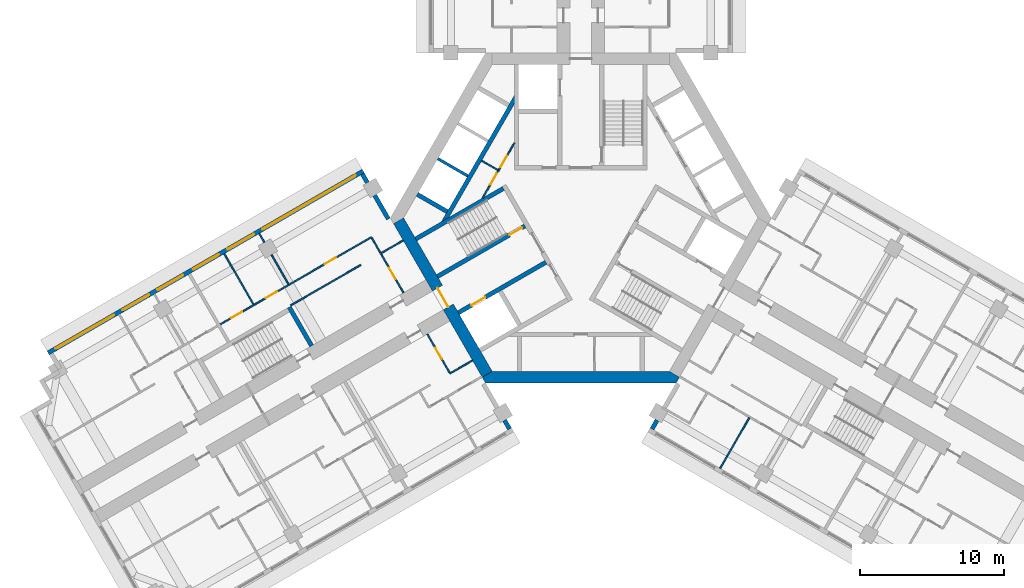
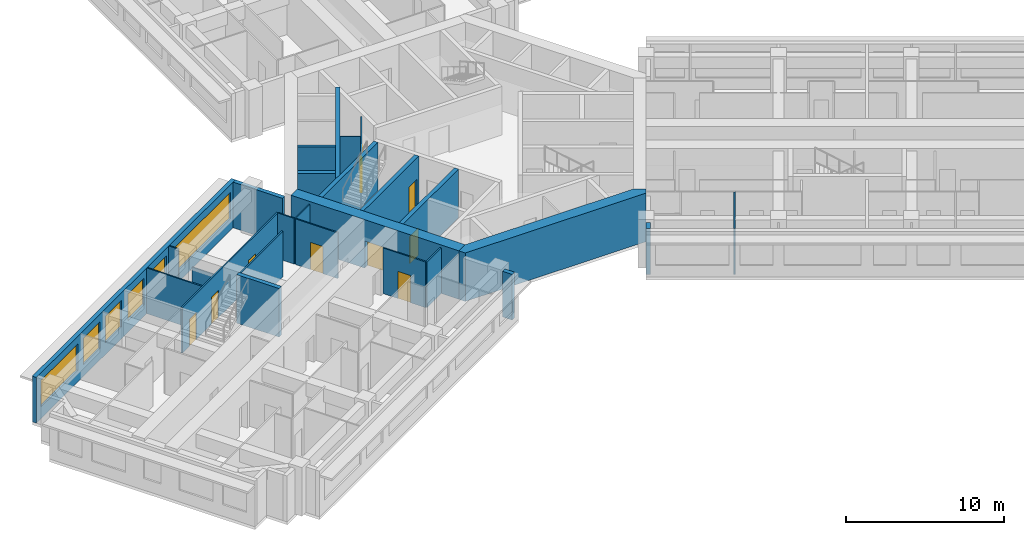
# One storey, part 4 of 12: 26 walls, 10 doors, 6 windows, 16 openings.
"""IFC4 building model written with IfcOpenShell, lengths in metres."""

from ifc_helpers import new_model, si_unit, direction, frame, frame_2d, origin, place, context, subcontext, project, spatial, polyline, rectangle, outline, extrude, material, layer, layer_set, type_object, element, fill, save


model = new_model("IFC4")

# Units and contexts
model_context = context("Model", 3, precision=1e-05, world=origin(), true_north=direction((0.0, 1.0)))
body_context = subcontext(model_context, "Body", "Model", "MODEL_VIEW")
ifc_project = project(units=[si_unit("LENGTHUNIT", "METRE"), si_unit("AREAUNIT", "SQUARE_METRE"), si_unit("VOLUMEUNIT", "CUBIC_METRE"), si_unit("PLANEANGLEUNIT", "RADIAN"), si_unit("MASSUNIT", "GRAM", prefix="KILO")], contexts=[model_context])

# Site, building, storey
site_placement = place(None, origin())
site = spatial("IfcSite", under=ifc_project, at=site_placement, CompositionType="ELEMENT")
building_placement = place(site_placement, origin())
building = spatial("IfcBuilding", under=site, at=building_placement, Name="Impinga Residences", CompositionType="ELEMENT")
storey_placement = place(building_placement, frame((0.0, 0.0, 169.75)))
storey = spatial("IfcBuildingStorey", under=building, at=storey_placement, Name="L42", CompositionType="ELEMENT", Elevation=169.75)

# Wall, openings, doors
ifc_material_1 = material(Name="Concrete blockwork", Category="masonry")
ifc_layer_1 = layer(ifc_material_1, 0.10009765625)
ifc_layer_set_1 = layer_set([ifc_layer_1], Name="CP1 core room partition, blockwork 100")
wall_type_1 = type_object("IfcWallType", Name="CP1 core room partition, blockwork 100", PredefinedType="PARTITIONING", material=ifc_layer_set_1)
wall_1_placement = place(storey_placement, frame((-6.799560546875, 1.385986328125, 0.0), z_axis=(0.0, 0.0, 1.0), x_axis=(0.500001098885, 0.866024769342, 0.0)))
wall_1 = element("IfcWall", 1, at=wall_1_placement, inside=storey, type_object=wall_type_1, Name="Core room partition, blockwork L42:CORE:high:FP", PredefinedType="PARTITIONING", context=body_context, shape_type="SweptSolid", body=[
    extrude(rectangle(XDim=4.39892578125, YDim=0.10009765625, at=frame_2d((2.199462890625, 0.0))), origin(), (0.0, 0.0, 1.0), 3.530029296875),
])
opening_1_placement = place(wall_1_placement, frame((1.049560546875, 0.0, 0.0)))
opening_1 = element("IfcOpeningElement", 2, at=opening_1_placement, cuts=wall_1, Name="Opening D6", PredefinedType="OPENING", context=body_context, shape_type="SweptSolid", body=[
    extrude(rectangle(XDim=0.89990234375, YDim=2.10009765625, at=frame_2d((0.449951171875, 1.050048828125))), frame((0.0, 0.06005859375, 0.0), z_axis=(0.0, -1.0, 0.0), x_axis=(1.0, 0.0, 0.0)), (0.0, 0.0, 1.0), 0.1201171875),
])
opening_2_placement = place(wall_1_placement, frame((2.449462890625, 0.0, 0.0)))
opening_2 = element("IfcOpeningElement", 3, at=opening_2_placement, cuts=wall_1, Name="Opening D6", PredefinedType="OPENING", context=body_context, shape_type="SweptSolid", body=[
    extrude(rectangle(XDim=0.89990234375, YDim=2.10009765625, at=frame_2d((0.449951171875, 1.050048828125))), frame((0.0, 0.06005859375, 0.0), z_axis=(0.0, -1.0, 0.0), x_axis=(1.0, 0.0, 0.0)), (0.0, 0.0, 1.0), 0.1201171875),
])
ifc_material_2 = material(Name="Timber door set", Category="wood")
door_type_1 = type_object("IfcDoorType", Name="D6 riser and store door 900x2100", OperationType="SINGLE_SWING_LEFT", PredefinedType="DOOR", material=ifc_material_2)
door_1_placement = place(opening_1_placement, origin())
door_1 = element("IfcDoor", 4, at=door_1_placement, inside=storey, type_object=door_type_1, Name="Cleaners' store door", OperationType="SINGLE_SWING_LEFT", OverallHeight=2.10009765625, OverallWidth=0.89990234375, PredefinedType="DOOR", context=body_context, shape_type="SweptSolid", body=[
    extrude(rectangle(XDim=0.89990234375, YDim=2.10009765625, at=frame_2d((0.449951171875, 1.050048828125))), frame((0.0, 0.02490234375, 0.0), z_axis=(0.0, -1.0, 0.0), x_axis=(1.0, 0.0, 0.0)), (0.0, 0.0, 1.0), 0.050048828125),
])
fill(opening_1, door_1)
door_2_placement = place(opening_2_placement, origin())
door_2 = element("IfcDoor", 5, at=door_2_placement, inside=storey, type_object=door_type_1, Name="Refuse room door", OperationType="SINGLE_SWING_RIGHT", OverallHeight=2.10009765625, OverallWidth=0.89990234375, PredefinedType="DOOR", context=body_context, shape_type="SweptSolid", body=[
    extrude(rectangle(XDim=0.89990234375, YDim=2.10009765625, at=frame_2d((0.449951171875, 1.050048828125))), frame((0.0, 0.02490234375, 0.0), z_axis=(0.0, -1.0, 0.0), x_axis=(1.0, 0.0, 0.0)), (0.0, 0.0, 1.0), 0.050048828125),
])
fill(opening_2, door_2)

# Wall
wall_2_placement = place(storey_placement, frame((-5.7431640625, 3.315673828125, 0.0), z_axis=(0.0, 0.0, 1.0), x_axis=(-0.86595725628, 0.500118016368, 0.0)))
element("IfcWall", 6, at=wall_2_placement, inside=storey, type_object=wall_type_1, Name="Core room partition, blockwork L42:CORE:high:FS", PredefinedType="PARTITIONING", context=body_context, shape_type="SweptSolid", body=[
    extrude(rectangle(XDim=1.300048828125, YDim=0.10009765625, at=frame_2d((0.64990234375, 0.0))), origin(), (0.0, 0.0, 1.0), 3.530029296875),
])

# Wall, openings, windows
ifc_material_3 = material(Name="Terracotta rainscreen on blockwork", Category="masonry")
ifc_layer_2 = layer(ifc_material_3, 0.300048828125)
ifc_layer_set_2 = layer_set([ifc_layer_2], Name="EW1 external wall, terracotta rainscreen on blockwork 300")
wall_type_2 = type_object("IfcWallType", Name="EW1 external wall, terracotta rainscreen on blockwork 300", PredefinedType="SOLIDWALL", material=ifc_layer_set_2)
wall_3_placement = place(storey_placement, frame((-36.89892578125, -9.352294921875, 0.0), z_axis=(0.0, 0.0, 1.0), x_axis=(0.86602925447, 0.499993330357, 0.0)))
wall_3 = element("IfcWall", 7, at=wall_3_placement, inside=storey, type_object=wall_type_2, Name="External wall EW1 L42", PredefinedType="SOLIDWALL", context=body_context, shape_type="SweptSolid", body=[
    extrude(rectangle(XDim=25.199951171875, YDim=0.300048828125, at=frame_2d((12.60009765625, 0.0))), origin(), (0.0, 0.0, 1.0), 3.530029296875),
])
opening_3_placement = place(wall_3_placement, frame((0.60009765625, 0.0, 0.89990234375)))
opening_3 = element("IfcOpeningElement", 8, at=opening_3_placement, cuts=wall_3, Name="Opening W10", PredefinedType="OPENING", context=body_context, shape_type="SweptSolid", body=[
    extrude(rectangle(XDim=4.64990234375, YDim=2.050048828125, at=frame_2d((2.324951171875, 1.02490234375))), frame((0.0, 0.159912109375, 0.0), z_axis=(0.0, -1.0, 0.0), x_axis=(1.0, 0.0, 0.0)), (0.0, 0.0, 1.0), 0.320068359375),
])
opening_4_placement = place(wall_3_placement, frame((5.949951171875, 0.0, 0.89990234375)))
opening_4 = element("IfcOpeningElement", 9, at=opening_4_placement, cuts=wall_3, Name="Opening W9", PredefinedType="OPENING", context=body_context, shape_type="SweptSolid", body=[
    extrude(rectangle(XDim=2.10009765625, YDim=2.050048828125, at=frame_2d((1.050048828125, 1.02490234375))), frame((0.0, 0.159912109375, 0.0), z_axis=(0.0, -1.0, 0.0), x_axis=(1.0, 0.0, 0.0)), (0.0, 0.0, 1.0), 0.320068359375),
])
opening_5_placement = place(wall_3_placement, frame((8.75, 0.0, 0.89990234375)))
opening_5 = element("IfcOpeningElement", 10, at=opening_5_placement, cuts=wall_3, Name="Opening W14", PredefinedType="OPENING", context=body_context, shape_type="SweptSolid", body=[
    extrude(rectangle(XDim=2.050048828125, YDim=2.050048828125, at=frame_2d((1.02490234375, 1.02490234375))), frame((0.0, 0.159912109375, 0.0), z_axis=(0.0, -1.0, 0.0), x_axis=(1.0, 0.0, 0.0)), (0.0, 0.0, 1.0), 0.320068359375),
])
opening_6_placement = place(wall_3_placement, frame((11.60009765625, 0.0, 0.89990234375)))
opening_6 = element("IfcOpeningElement", 11, at=opening_6_placement, cuts=wall_3, Name="Opening W14", PredefinedType="OPENING", context=body_context, shape_type="SweptSolid", body=[
    extrude(rectangle(XDim=2.050048828125, YDim=2.050048828125, at=frame_2d((1.02490234375, 1.02490234375))), frame((0.0, 0.159912109375, 0.0), z_axis=(0.0, -1.0, 0.0), x_axis=(1.0, 0.0, 0.0)), (0.0, 0.0, 1.0), 0.320068359375),
])
opening_7_placement = place(wall_3_placement, frame((14.35009765625, 0.0, 0.89990234375)))
opening_7 = element("IfcOpeningElement", 12, at=opening_7_placement, cuts=wall_3, Name="Opening W9", PredefinedType="OPENING", context=body_context, shape_type="SweptSolid", body=[
    extrude(rectangle(XDim=2.10009765625, YDim=2.050048828125, at=frame_2d((1.050048828125, 1.02490234375))), frame((0.0, 0.159912109375, 0.0), z_axis=(0.0, -1.0, 0.0), x_axis=(1.0, 0.0, 0.0)), (0.0, 0.0, 1.0), 0.320068359375),
])
opening_8_placement = place(wall_3_placement, frame((17.14990234375, 0.0, 0.89990234375)))
opening_8 = element("IfcOpeningElement", 13, at=opening_8_placement, cuts=wall_3, Name="Opening W7", PredefinedType="OPENING", context=body_context, shape_type="SweptSolid", body=[
    extrude(rectangle(XDim=7.449951171875, YDim=2.050048828125, at=frame_2d((3.72509765625, 1.02490234375))), frame((0.0, 0.159912109375, 0.0), z_axis=(0.0, -1.0, 0.0), x_axis=(1.0, 0.0, 0.0)), (0.0, 0.0, 1.0), 0.320068359375),
])
ifc_material_4 = material(Name="Aluminium window, clear double glazing", Category="aluminium")
window_type_1 = type_object("IfcWindowType", Name="W10 ribbon window 4650x2050", PartitioningType="SINGLE_PANEL", PredefinedType="WINDOW", material=ifc_material_4)
window_1_placement = place(opening_3_placement, origin())
window_1 = element("IfcWindow", 14, at=window_1_placement, inside=storey, type_object=window_type_1, Name="Window L42", OverallHeight=2.050048828125, OverallWidth=4.64990234375, PartitioningType="SINGLE_PANEL", PredefinedType="WINDOW", context=body_context, shape_type="SweptSolid", body=[
    extrude(rectangle(XDim=4.64990234375, YDim=2.050048828125, at=frame_2d((2.324951171875, 1.02490234375))), frame((0.0, 0.030029296875, 0.0), z_axis=(0.0, -1.0, 0.0), x_axis=(1.0, 0.0, 0.0)), (0.0, 0.0, 1.0), 0.06005859375),
])
fill(opening_3, window_1)
window_type_2 = type_object("IfcWindowType", Name="W14 ribbon window 2050x2050", PartitioningType="SINGLE_PANEL", PredefinedType="WINDOW", material=ifc_material_4)
window_2_placement = place(opening_5_placement, origin())
window_2 = element("IfcWindow", 15, at=window_2_placement, inside=storey, type_object=window_type_2, Name="Window L42", OverallHeight=2.050048828125, OverallWidth=2.050048828125, PartitioningType="SINGLE_PANEL", PredefinedType="WINDOW", context=body_context, shape_type="SweptSolid", body=[
    extrude(rectangle(XDim=2.050048828125, YDim=2.050048828125, at=frame_2d((1.02490234375, 1.02490234375))), frame((0.0, 0.030029296875, 0.0), z_axis=(0.0, -1.0, 0.0), x_axis=(1.0, 0.0, 0.0)), (0.0, 0.0, 1.0), 0.06005859375),
])
fill(opening_5, window_2)
window_3_placement = place(opening_6_placement, origin())
window_3 = element("IfcWindow", 16, at=window_3_placement, inside=storey, type_object=window_type_2, Name="Window L42", OverallHeight=2.050048828125, OverallWidth=2.050048828125, PartitioningType="SINGLE_PANEL", PredefinedType="WINDOW", context=body_context, shape_type="SweptSolid", body=[
    extrude(rectangle(XDim=2.050048828125, YDim=2.050048828125, at=frame_2d((1.02490234375, 1.02490234375))), frame((0.0, 0.030029296875, 0.0), z_axis=(0.0, -1.0, 0.0), x_axis=(1.0, 0.0, 0.0)), (0.0, 0.0, 1.0), 0.06005859375),
])
fill(opening_6, window_3)
window_type_3 = type_object("IfcWindowType", Name="W7 ribbon window 7450x2050", PartitioningType="SINGLE_PANEL", PredefinedType="WINDOW", material=ifc_material_4)
window_4_placement = place(opening_8_placement, origin())
window_4 = element("IfcWindow", 17, at=window_4_placement, inside=storey, type_object=window_type_3, Name="Window L42", OverallHeight=2.050048828125, OverallWidth=7.449951171875, PartitioningType="SINGLE_PANEL", PredefinedType="WINDOW", context=body_context, shape_type="SweptSolid", body=[
    extrude(rectangle(XDim=7.449951171875, YDim=2.050048828125, at=frame_2d((3.72509765625, 1.02490234375))), frame((0.0, 0.030029296875, 0.0), z_axis=(0.0, -1.0, 0.0), x_axis=(1.0, 0.0, 0.0)), (0.0, 0.0, 1.0), 0.06005859375),
])
fill(opening_8, window_4)
window_type_4 = type_object("IfcWindowType", Name="W9 ribbon window 2100x2050", PartitioningType="SINGLE_PANEL", PredefinedType="WINDOW", material=ifc_material_4)
window_5_placement = place(opening_4_placement, origin())
window_5 = element("IfcWindow", 18, at=window_5_placement, inside=storey, type_object=window_type_4, Name="Window L42", OverallHeight=2.050048828125, OverallWidth=2.10009765625, PartitioningType="SINGLE_PANEL", PredefinedType="WINDOW", context=body_context, shape_type="SweptSolid", body=[
    extrude(rectangle(XDim=2.10009765625, YDim=2.050048828125, at=frame_2d((1.050048828125, 1.02490234375))), frame((0.0, 0.030029296875, 0.0), z_axis=(0.0, -1.0, 0.0), x_axis=(1.0, 0.0, 0.0)), (0.0, 0.0, 1.0), 0.06005859375),
])
fill(opening_4, window_5)
window_6_placement = place(opening_7_placement, origin())
window_6 = element("IfcWindow", 19, at=window_6_placement, inside=storey, type_object=window_type_4, Name="Window L42", OverallHeight=2.050048828125, OverallWidth=2.10009765625, PartitioningType="SINGLE_PANEL", PredefinedType="WINDOW", context=body_context, shape_type="SweptSolid", body=[
    extrude(rectangle(XDim=2.10009765625, YDim=2.050048828125, at=frame_2d((1.050048828125, 1.02490234375))), frame((0.0, 0.030029296875, 0.0), z_axis=(0.0, -1.0, 0.0), x_axis=(1.0, 0.0, 0.0)), (0.0, 0.0, 1.0), 0.06005859375),
])
fill(opening_7, window_6)

# Walls
wall_4_placement = place(storey_placement, frame((-15.1298828125, 3.042724609375, 0.0), z_axis=(0.0, 0.0, 1.0), x_axis=(0.500012057535, -0.866018442252, 0.0)))
element("IfcWall", 20, at=wall_4_placement, inside=storey, type_object=wall_type_2, Name="External wall EW1 L42", PredefinedType="SOLIDWALL", context=body_context, shape_type="SweptSolid", body=[
    extrude(rectangle(XDim=3.60009765625, YDim=0.300048828125, at=frame_2d((1.800048828125, 0.0))), origin(), (0.0, 0.0, 1.0), 3.530029296875),
])
for number, where, z_axis, x_axis, name in (
    (21, (4.929931640625, -14.624267578125, 0.0), (0.0, 0.0, 1.0), (0.499853302173, 0.866110083249, 0.0), "External wall EW1 L42"),
    (22, (-5.27978515625, -14.01806640625, 0.0), (0.0, 0.0, 1.0), (0.499853302173, -0.866110083249, 0.0), "External wall EW1 L42"),
):
    element("IfcWall", number, at=place(storey_placement, frame(where, z_axis=z_axis, x_axis=x_axis)), inside=storey, type_object=wall_type_2, Name=name, PredefinedType="SOLIDWALL", context=body_context, shape_type="SweptSolid", body=[
        extrude(rectangle(XDim=0.699951171875, YDim=0.300048828125, at=frame_2d((0.35009765625, 0.0))), origin(), (0.0, 0.0, 1.0), 3.530029296875),
    ])
ifc_material_5 = material(Name="Gypsum board on steel studs", Category="steel")
ifc_layer_3 = layer(ifc_material_5, 0.10009765625)
ifc_layer_set_3 = layer_set([ifc_layer_3], Name="Gypsum board on steel studs")
wall_type_3 = type_object("IfcWallType", Name="IP1 partition 100", PredefinedType="PARTITIONING", material=ifc_layer_set_3)
wall_5_placement = place(storey_placement, frame((-7.5, -9.872802734375, 0.0), z_axis=(0.0, 0.0, 1.0), x_axis=(-0.866047807691, -0.499961193289, 0.0)))
element("IfcWall", 23, at=wall_5_placement, inside=storey, type_object=wall_type_3, Name="Partition L42-WA1:DIV0", PredefinedType="PARTITIONING", context=body_context, shape_type="SweptSolid", body=[
    extrude(rectangle(XDim=1.800048828125, YDim=0.10009765625, at=frame_2d((0.89990234375, 0.0))), origin(), (0.0, 0.0, 1.0), 3.530029296875),
])

# Wall, opening, door
wall_6_placement = place(storey_placement, frame((-10.6337890625, -8.044677734375, 0.0), z_axis=(0.0, 0.0, 1.0), x_axis=(0.49999285859, -0.86602952684, 0.0)))
wall_6 = element("IfcWall", 24, at=wall_6_placement, inside=storey, type_object=wall_type_3, Name="Partition L42-WA1:IB1", PredefinedType="PARTITIONING", context=body_context, shape_type="SweptSolid", body=[
    extrude(rectangle(XDim=3.10009765625, YDim=0.10009765625, at=frame_2d((1.550048828125, 0.0))), origin(), (0.0, 0.0, 1.0), 3.530029296875),
])
opening_9_placement = place(wall_6_placement, frame((1.10009765625, 0.0, 0.0)))
opening_9 = element("IfcOpeningElement", 25, at=opening_9_placement, cuts=wall_6, Name="Opening D2", PredefinedType="OPENING", context=body_context, shape_type="SweptSolid", body=[
    extrude(rectangle(XDim=0.89990234375, YDim=2.10009765625, at=frame_2d((0.449951171875, 1.050048828125))), frame((0.0, 0.06005859375, 0.0), z_axis=(0.0, -1.0, 0.0), x_axis=(1.0, 0.0, 0.0)), (0.0, 0.0, 1.0), 0.1201171875),
])
door_type_2 = type_object("IfcDoorType", Name="D2 internal door 900x2100", OperationType="SINGLE_SWING_LEFT", PredefinedType="DOOR", material=ifc_material_2)
door_3_placement = place(opening_9_placement, origin())
door_3 = element("IfcDoor", 26, at=door_3_placement, inside=storey, type_object=door_type_2, Name="Apartment L42-WA1 bathroom door", OperationType="SINGLE_SWING_LEFT", OverallHeight=2.10009765625, OverallWidth=0.89990234375, PredefinedType="DOOR", context=body_context, shape_type="SweptSolid", body=[
    extrude(rectangle(XDim=0.89990234375, YDim=2.10009765625, at=frame_2d((0.449951171875, 1.050048828125))), frame((0.0, 0.02490234375, 0.0), z_axis=(0.0, -1.0, 0.0), x_axis=(1.0, 0.0, 0.0)), (0.0, 0.0, 1.0), 0.050048828125),
])
fill(opening_9, door_3)

# Walls
wall_7_placement = place(storey_placement, frame((-12.300048828125, -1.558837890625, 0.0), z_axis=(0.0, 0.0, 1.0), x_axis=(-0.866047807691, -0.499961193289, 0.0)))
element("IfcWall", 27, at=wall_7_placement, inside=storey, type_object=wall_type_3, Name="Partition L42-WF1:DIV0", PredefinedType="PARTITIONING", context=body_context, shape_type="SweptSolid", body=[
    extrude(rectangle(XDim=1.800048828125, YDim=0.10009765625, at=frame_2d((0.89990234375, 0.0))), origin(), (0.0, 0.0, 1.0), 3.530029296875),
])
wall_8_placement = place(storey_placement, frame((-15.244384765625, -3.2587890625, 0.0), z_axis=(0.0, 0.0, 1.0), x_axis=(-0.866026594901, -0.49999793692, 0.0)))
element("IfcWall", 28, at=wall_8_placement, inside=storey, type_object=wall_type_3, Name="Partition L42-WF1:DIV1", PredefinedType="PARTITIONING", context=body_context, shape_type="SweptSolid", body=[
    extrude(rectangle(XDim=5.60009765625, YDim=0.10009765625, at=frame_2d((2.800048828125, 0.0))), origin(), (0.0, 0.0, 1.0), 3.530029296875),
])

# Wall, openings, doors
wall_9_placement = place(storey_placement, frame((-14.5087890625, -1.3330078125, 0.0), z_axis=(0.0, 0.0, 1.0), x_axis=(-0.866025650635, -0.499999572443, 0.0)))
wall_9 = element("IfcWall", 29, at=wall_9_placement, inside=storey, type_object=wall_type_3, Name="Partition L42-WF1:STRIP", PredefinedType="PARTITIONING", context=body_context, shape_type="SweptSolid", body=[
    extrude(rectangle(XDim=12.10009765625, YDim=0.10009765625, at=frame_2d((6.050048828125, 0.0))), origin(), (0.0, 0.0, 1.0), 3.530029296875),
])
opening_10_placement = place(wall_9_placement, frame((2.824951171875, 0.0, 0.0)))
opening_10 = element("IfcOpeningElement", 30, at=opening_10_placement, cuts=wall_9, Name="Opening D2", PredefinedType="OPENING", context=body_context, shape_type="SweptSolid", body=[
    extrude(rectangle(XDim=0.89990234375, YDim=2.10009765625, at=frame_2d((0.449951171875, 1.050048828125))), frame((0.0, 0.06005859375, 0.0), z_axis=(0.0, -1.0, 0.0), x_axis=(1.0, 0.0, 0.0)), (0.0, 0.0, 1.0), 0.1201171875),
])
opening_11_placement = place(wall_9_placement, frame((7.550048828125, 0.0, 0.0)))
opening_11 = element("IfcOpeningElement", 31, at=opening_11_placement, cuts=wall_9, Name="Opening D2", PredefinedType="OPENING", context=body_context, shape_type="SweptSolid", body=[
    extrude(rectangle(XDim=0.89990234375, YDim=2.10009765625, at=frame_2d((0.449951171875, 1.050048828125))), frame((0.0, 0.06005859375, 0.0), z_axis=(0.0, -1.0, 0.0), x_axis=(1.0, 0.0, 0.0)), (0.0, 0.0, 1.0), 0.1201171875),
])
opening_12_placement = place(wall_9_placement, frame((10.324951171875, 0.0, 0.0)))
opening_12 = element("IfcOpeningElement", 32, at=opening_12_placement, cuts=wall_9, Name="Opening D2", PredefinedType="OPENING", context=body_context, shape_type="SweptSolid", body=[
    extrude(rectangle(XDim=0.89990234375, YDim=2.10009765625, at=frame_2d((0.449951171875, 1.050048828125))), frame((0.0, 0.06005859375, 0.0), z_axis=(0.0, -1.0, 0.0), x_axis=(1.0, 0.0, 0.0)), (0.0, 0.0, 1.0), 0.1201171875),
])
door_4_placement = place(opening_10_placement, origin())
door_4 = element("IfcDoor", 33, at=door_4_placement, inside=storey, type_object=door_type_2, Name="Apartment L42-WF1 room door", OperationType="SINGLE_SWING_LEFT", OverallHeight=2.10009765625, OverallWidth=0.89990234375, PredefinedType="DOOR", context=body_context, shape_type="SweptSolid", body=[
    extrude(rectangle(XDim=0.89990234375, YDim=2.10009765625, at=frame_2d((0.449951171875, 1.050048828125))), frame((0.0, 0.02490234375, 0.0), z_axis=(0.0, -1.0, 0.0), x_axis=(1.0, 0.0, 0.0)), (0.0, 0.0, 1.0), 0.050048828125),
])
fill(opening_10, door_4)
door_5_placement = place(opening_11_placement, origin())
door_5 = element("IfcDoor", 34, at=door_5_placement, inside=storey, type_object=door_type_2, Name="Apartment L42-WF1 room door", OperationType="SINGLE_SWING_RIGHT", OverallHeight=2.10009765625, OverallWidth=0.89990234375, PredefinedType="DOOR", context=body_context, shape_type="SweptSolid", body=[
    extrude(rectangle(XDim=0.89990234375, YDim=2.10009765625, at=frame_2d((0.449951171875, 1.050048828125))), frame((0.0, 0.02490234375, 0.0), z_axis=(0.0, -1.0, 0.0), x_axis=(1.0, 0.0, 0.0)), (0.0, 0.0, 1.0), 0.050048828125),
])
fill(opening_11, door_5)
door_6_placement = place(opening_12_placement, origin())
door_6 = element("IfcDoor", 35, at=door_6_placement, inside=storey, type_object=door_type_2, Name="Apartment L42-WF1 room door", OperationType="SINGLE_SWING_RIGHT", OverallHeight=2.10009765625, OverallWidth=0.89990234375, PredefinedType="DOOR", context=body_context, shape_type="SweptSolid", body=[
    extrude(rectangle(XDim=0.89990234375, YDim=2.10009765625, at=frame_2d((0.449951171875, 1.050048828125))), frame((0.0, 0.02490234375, 0.0), z_axis=(0.0, -1.0, 0.0), x_axis=(1.0, 0.0, 0.0)), (0.0, 0.0, 1.0), 0.050048828125),
])
fill(opening_12, door_6)

# Wall
wall_10_placement = place(storey_placement, frame((-13.8837890625, -2.41552734375, 0.0), z_axis=(0.0, 0.0, 1.0), x_axis=(-0.500033551112, 0.866006032174, 0.0)))
element("IfcWall", 36, at=wall_10_placement, inside=storey, type_object=wall_type_3, Name="Partition L42-WF1:SE0", PredefinedType="PARTITIONING", context=body_context, shape_type="SweptSolid", body=[
    extrude(rectangle(XDim=1.2001953125, YDim=0.10009765625, at=frame_2d((0.60009765625, 0.0))), origin(), (0.0, 0.0, 1.0), 3.530029296875),
])

# Wall, opening, door
wall_11_placement = place(storey_placement, frame((-12.283935546875, -5.186767578125, 0.0), z_axis=(0.0, 0.0, 1.0), x_axis=(-0.499967891604, 0.866043940782, 0.0)))
wall_11 = element("IfcWall", 37, at=wall_11_placement, inside=storey, type_object=wall_type_3, Name="Partition L42-WF1:IB1", PredefinedType="PARTITIONING", context=body_context, shape_type="SweptSolid", body=[
    extrude(rectangle(XDim=3.099853515625, YDim=0.10009765625, at=frame_2d((1.5498046875, 0.0))), origin(), (0.0, 0.0, 1.0), 3.530029296875),
])
opening_13_placement = place(wall_11_placement, frame((1.10009765625, 0.0, 0.0)))
opening_13 = element("IfcOpeningElement", 38, at=opening_13_placement, cuts=wall_11, Name="Opening D2", PredefinedType="OPENING", context=body_context, shape_type="SweptSolid", body=[
    extrude(rectangle(XDim=0.89990234375, YDim=2.10009765625, at=frame_2d((0.449951171875, 1.050048828125))), frame((0.0, 0.06005859375, 0.0), z_axis=(0.0, -1.0, 0.0), x_axis=(1.0, 0.0, 0.0)), (0.0, 0.0, 1.0), 0.1201171875),
])
door_7_placement = place(opening_13_placement, origin())
door_7 = element("IfcDoor", 39, at=door_7_placement, inside=storey, type_object=door_type_2, Name="Apartment L42-WF1 bathroom door", OperationType="SINGLE_SWING_LEFT", OverallHeight=2.10009765625, OverallWidth=0.89990234375, PredefinedType="DOOR", context=body_context, shape_type="SweptSolid", body=[
    extrude(rectangle(XDim=0.89990234375, YDim=2.10009765625, at=frame_2d((0.449951171875, 1.050048828125))), frame((0.0, 0.02490234375, 0.0), z_axis=(0.0, -1.0, 0.0), x_axis=(1.0, 0.0, 0.0)), (0.0, 0.0, 1.0), 0.050048828125),
])
fill(opening_13, door_7)

# Walls
wall_12_placement = place(storey_placement, frame((-20.24951171875, -4.589599609375, 0.0), z_axis=(0.0, 0.0, 1.0), x_axis=(-0.500016218704, 0.866016039709, 0.0)))
element("IfcWall", 40, at=wall_12_placement, inside=storey, type_object=wall_type_3, Name="Partition L42-WF1:OB1", PredefinedType="PARTITIONING", context=body_context, shape_type="SweptSolid", body=[
    extrude(rectangle(XDim=2.35009765625, YDim=0.10009765625, at=frame_2d((1.175048828125, 0.0))), origin(), (0.0, 0.0, 1.0), 2.47998046875),
])
wall_13_placement = place(storey_placement, frame((-21.924560546875, -1.6884765625, 0.0), z_axis=(0.0, 0.0, 1.0), x_axis=(-0.500114896893, 0.865959057869, 0.0)))
element("IfcWall", 41, at=wall_13_placement, inside=storey, type_object=wall_type_3, Name="Partition L42-WF1:OB1b", PredefinedType="PARTITIONING", context=body_context, shape_type="SweptSolid", body=[
    extrude(rectangle(XDim=0.699951171875, YDim=0.10009765625, at=frame_2d((0.35009765625, 0.0))), origin(), (0.0, 0.0, 1.0), 3.530029296875),
])
wall_14_placement = place(storey_placement, frame((-22.674560546875, -5.98974609375, 0.0), z_axis=(0.0, 0.0, 1.0), x_axis=(-0.499990325971, 0.866030989016, 0.0)))
element("IfcWall", 42, at=wall_14_placement, inside=storey, type_object=wall_type_3, Name="Partition L42-WF1:OB2", PredefinedType="PARTITIONING", context=body_context, shape_type="SweptSolid", body=[
    extrude(rectangle(XDim=4.0498046875, YDim=0.10009765625, at=frame_2d((2.02490234375, 0.0))), origin(), (0.0, 0.0, 1.0), 3.530029296875),
])
wall_15_placement = place(storey_placement, frame((11.6748046875, -13.841796875, 0.0), z_axis=(0.0, 0.0, 1.0), x_axis=(-0.500035537042, -0.866004885491, 0.0)))
element("IfcWall", 43, at=wall_15_placement, inside=storey, type_object=wall_type_3, Name="Partition L42-EF1:OB1", PredefinedType="PARTITIONING", context=body_context, shape_type="SweptSolid", body=[
    extrude(rectangle(XDim=4.050048828125, YDim=0.10009765625, at=frame_2d((2.02490234375, 0.0))), origin(), (0.0, 0.0, 1.0), 3.530029296875),
])
ifc_material_6 = material(Name="Concrete C60/75", Category="concrete")
ifc_layer_4 = layer(ifc_material_6, 0.300048828125)
ifc_layer_set_4 = layer_set([ifc_layer_4], Name="Concrete C60/75")
wall_type_4 = type_object("IfcWallType", Name="SE1 wing stair enclosure wall 300", PredefinedType="SOLIDWALL", material=ifc_layer_set_4)
wall_16_placement = place(storey_placement, frame((-18.649169921875, -8.86181640625, 0.0), z_axis=(0.0, 0.0, 1.0), x_axis=(-0.500026960575, 0.86600983753, 0.0)))
element("IfcWall", 44, at=wall_16_placement, inside=storey, type_object=wall_type_4, Name="Stair enclosure wall SE1 W END0 L42", PredefinedType="SOLIDWALL", context=body_context, shape_type="SweptSolid", body=[
    extrude(rectangle(XDim=3.099853515625, YDim=0.300048828125, at=frame_2d((1.5498046875, 0.0))), origin(), (0.0, 0.0, 1.0), 3.75),
])

# Wall, opening, door
ifc_layer_5 = layer(ifc_material_6, 0.800048828125)
ifc_layer_set_5 = layer_set([ifc_layer_5], Name="Concrete C60/75")
wall_type_5 = type_object("IfcWallType", Name="SW2 core wall 800", PredefinedType="SHEAR", material=ifc_layer_set_5)
wall_17_placement = place(storey_placement, frame((-6.484619140625, -10.83154296875, 0.0), z_axis=(0.0, 0.0, 1.0), x_axis=(-0.499986991068, 0.866032914365, 0.0)))
wall_17 = element("IfcWall", 45, at=wall_17_placement, inside=storey, type_object=wall_type_5, Name="Core wall SW2 W:FACE L42", PredefinedType="SHEAR", context=body_context, shape_type="SweptSolid", body=[
    extrude(rectangle(XDim=12.276123046875, YDim=0.800048828125, at=frame_2d((6.13818359375, 0.0))), origin(), (0.0, 0.0, 1.0), 3.75),
])
opening_14_placement = place(wall_17_placement, frame((5.38818359375, 0.0, 0.0)))
opening_14 = element("IfcOpeningElement", 46, at=opening_14_placement, cuts=wall_17, Name="Opening D4", PredefinedType="OPENING", context=body_context, shape_type="SweptSolid", body=[
    extrude(rectangle(XDim=1.5, YDim=2.10009765625, at=frame_2d((0.75, 1.050048828125))), frame((0.0, 0.409912109375, 0.0), z_axis=(0.0, -1.0, 0.0), x_axis=(1.0, 0.0, 0.0)), (0.0, 0.0, 1.0), 0.820068359375),
])
door_type_3 = type_object("IfcDoorType", Name="D4 lobby door pair 1500x2100", OperationType="DOUBLE_DOOR_DOUBLE_SWING", PredefinedType="DOOR", material=ifc_material_2)
door_8_placement = place(opening_14_placement, origin())
door_8 = element("IfcDoor", 47, at=door_8_placement, inside=storey, type_object=door_type_3, Name="Lobby door W", OperationType="DOUBLE_DOOR_DOUBLE_SWING", OverallHeight=2.10009765625, OverallWidth=1.5, PredefinedType="DOOR", context=body_context, shape_type="SweptSolid", body=[
    extrude(rectangle(XDim=1.5, YDim=2.10009765625, at=frame_2d((0.75, 1.050048828125))), frame((0.0, 0.02490234375, 0.0), z_axis=(0.0, -1.0, 0.0), x_axis=(1.0, 0.0, 0.0)), (0.0, 0.0, 1.0), 0.050048828125),
])
fill(opening_14, door_8)

# Wall
wall_18_placement = place(storey_placement, origin())
element("IfcWall", 48, at=wall_18_placement, inside=storey, type_object=wall_type_5, Name="Core wall SW2 N:EXPOSED L42", PredefinedType="SHEAR", context=body_context, shape_type="SweptSolid", body=[
    extrude(outline(polyline([(-6.60009765625, -11.431640625), (6.60009765625, -11.431640625), (6.8310546875, -11.031494140625), (6.13818359375, -10.631591796875), (-6.13818359375, -10.631591796875), (-6.8310546875, -11.031494140625), (-6.60009765625, -11.431640625)])), origin(), (0.0, 0.0, 1.0), 3.75),
])

# Wall, opening, door
ifc_material_7 = material(Name="Concrete C70/85", Category="concrete")
ifc_layer_6 = layer(ifc_material_7, 0.300048828125)
ifc_layer_set_6 = layer_set([ifc_layer_6], Name="Concrete C70/85")
wall_type_6 = type_object("IfcWallType", Name="SW5 core inner wall, stairs, shafts and lobbies 300", PredefinedType="SHEAR", material=ifc_layer_set_6)
wall_19_placement = place(storey_placement, frame((-3.86865234375, -0.559326171875, 0.0), z_axis=(0.0, 0.0, 1.0), x_axis=(-0.866026480128, -0.499998135713, 0.0)))
wall_19 = element("IfcWall", 49, at=wall_19_placement, inside=storey, type_object=wall_type_6, Name="Core wall SW5 W:ST-IN L42", PredefinedType="SHEAR", context=body_context, shape_type="SweptSolid", body=[
    extrude(rectangle(XDim=7.00146484375, YDim=0.300048828125, at=frame_2d((3.500732421875, 0.0))), origin(), (0.0, 0.0, 1.0), 3.75),
])
opening_15_placement = place(wall_19_placement, frame((0.25, 0.0, 0.0)))
opening_15 = element("IfcOpeningElement", 50, at=opening_15_placement, cuts=wall_19, Name="Opening D5", PredefinedType="OPENING", context=body_context, shape_type="SweptSolid", body=[
    extrude(rectangle(XDim=1.0, YDim=2.10009765625, at=frame_2d((0.5, 1.050048828125))), frame((0.0, 0.159912109375, 0.0), z_axis=(0.0, -1.0, 0.0), x_axis=(1.0, 0.0, 0.0)), (0.0, 0.0, 1.0), 0.320068359375),
])
door_type_4 = type_object("IfcDoorType", Name="D5 stair door 1000x2100", OperationType="SINGLE_SWING_LEFT", PredefinedType="DOOR", material=ifc_material_2)
door_9_placement = place(opening_15_placement, origin())
door_9 = element("IfcDoor", 51, at=door_9_placement, inside=storey, type_object=door_type_4, Name="Stair door W", OperationType="SINGLE_SWING_LEFT", OverallHeight=2.10009765625, OverallWidth=1.0, PredefinedType="DOOR", context=body_context, shape_type="SweptSolid", body=[
    extrude(rectangle(XDim=1.0, YDim=2.10009765625, at=frame_2d((0.5, 1.050048828125))), frame((0.0, 0.02490234375, 0.0), z_axis=(0.0, -1.0, 0.0), x_axis=(1.0, 0.0, 0.0)), (0.0, 0.0, 1.0), 0.050048828125),
])
fill(opening_15, door_9)

# Wall
wall_20_placement = place(storey_placement, frame((-5.36865234375, 2.038818359375, 0.0), z_axis=(0.0, 0.0, 1.0), x_axis=(-0.866026480128, -0.499998135713, 0.0)))
element("IfcWall", 52, at=wall_20_placement, inside=storey, type_object=wall_type_6, Name="Core wall SW5 W:ST-OUT L42", PredefinedType="SHEAR", context=body_context, shape_type="SweptSolid", body=[
    extrude(rectangle(XDim=7.00146484375, YDim=0.300048828125, at=frame_2d((3.500732421875, 0.0))), origin(), (0.0, 0.0, 1.0), 3.75),
])

# Wall, opening, door
wall_21_placement = place(storey_placement, frame((-2.418701171875, -3.07080078125, 0.0), z_axis=(0.0, 0.0, 1.0), x_axis=(-0.866026480128, -0.499998135713, 0.0)))
wall_21 = element("IfcWall", 53, at=wall_21_placement, inside=storey, type_object=wall_type_6, Name="Core wall SW5 W:FF-IN L42", PredefinedType="SHEAR", context=body_context, shape_type="SweptSolid", body=[
    extrude(rectangle(XDim=7.00146484375, YDim=0.300048828125, at=frame_2d((3.500732421875, 0.0))), origin(), (0.0, 0.0, 1.0), 3.75),
])
opening_16_placement = place(wall_21_placement, frame((4.85009765625, 0.0, 0.0)))
opening_16 = element("IfcOpeningElement", 54, at=opening_16_placement, cuts=wall_21, Name="Opening LD2", PredefinedType="OPENING", context=body_context, shape_type="SweptSolid", body=[
    extrude(rectangle(XDim=1.10009765625, YDim=2.10009765625, at=frame_2d((0.550048828125, 1.050048828125))), frame((0.0, 0.159912109375, 0.0), z_axis=(0.0, -1.0, 0.0), x_axis=(1.0, 0.0, 0.0)), (0.0, 0.0, 1.0), 0.320068359375),
])
ifc_material_8 = material(Name="Steel lift landing door", Category="steel")
door_type_5 = type_object("IfcDoorType", Name="LD2 firefighting lift landing door 1100x2100", OperationType="DOUBLE_DOOR_SLIDING", PredefinedType="DOOR", material=ifc_material_8)
door_10_placement = place(opening_16_placement, origin())
door_10 = element("IfcDoor", 55, at=door_10_placement, inside=storey, type_object=door_type_5, Name="Firefighting lift landing door F2", OperationType="DOUBLE_DOOR_SLIDING", OverallHeight=2.10009765625, OverallWidth=1.10009765625, PredefinedType="DOOR", context=body_context, shape_type="SweptSolid", body=[
    extrude(rectangle(XDim=1.10009765625, YDim=2.10009765625, at=frame_2d((0.550048828125, 1.050048828125))), frame((0.0, 0.02490234375, 0.0), z_axis=(0.0, -1.0, 0.0), x_axis=(1.0, 0.0, 0.0)), (0.0, 0.0, 1.0), 0.050048828125),
])
fill(opening_16, door_10)

# Walls
wall_22_placement = place(storey_placement, frame((-9.547607421875, -0.3740234375, 0.0), z_axis=(0.0, 0.0, 1.0), x_axis=(0.500002290144, 0.866024081565, 0.0)))
element("IfcWall", 56, at=wall_22_placement, inside=storey, type_object=wall_type_6, Name="Core wall SW5 E:BANK-FRONT L42", PredefinedType="SHEAR", context=body_context, shape_type="SweptSolid", body=[
    extrude(rectangle(XDim=10.1953125, YDim=0.300048828125, at=frame_2d((5.09765625, 0.0))), origin(), (0.0, 0.0, 1.0), 3.75),
])
wall_23_placement = place(storey_placement, frame((-9.253662109375, 0.43505859375, 0.0), z_axis=(0.0, 0.0, 1.0), x_axis=(-0.866006032174, 0.500033551112, 0.0)))
element("IfcWall", 57, at=wall_23_placement, inside=storey, type_object=wall_type_6, Name="Core wall SW5 E:BANK-L L42", PredefinedType="SHEAR", context=body_context, shape_type="SweptSolid", body=[
    extrude(rectangle(XDim=2.400146484375, YDim=0.300048828125, at=frame_2d((1.2001953125, 0.0))), origin(), (0.0, 0.0, 1.0), 3.75),
])
ifc_layer_7 = layer(ifc_material_7, 0.199951171875)
ifc_layer_set_7 = layer_set([ifc_layer_7], Name="Concrete C70/85")
wall_type_7 = type_object("IfcWallType", Name="SW6 lift shaft divider wall 200", PredefinedType="SHEAR", material=ifc_layer_set_7)
wall_24_placement = place(storey_placement, frame((-7.82861328125, 2.9033203125, 0.0), z_axis=(0.0, 0.0, 1.0), x_axis=(-0.866050077142, 0.499957262057, 0.0)))
element("IfcWall", 58, at=wall_24_placement, inside=storey, type_object=wall_type_7, Name="Core wall SW6 E:BANK-D1 L42", PredefinedType="SHEAR", context=body_context, shape_type="SweptSolid", body=[
    extrude(rectangle(XDim=2.400146484375, YDim=0.199951171875, at=frame_2d((1.2001953125, 0.0))), origin(), (0.0, 0.0, 1.0), 3.75),
])

save(model, "model.ifc")
